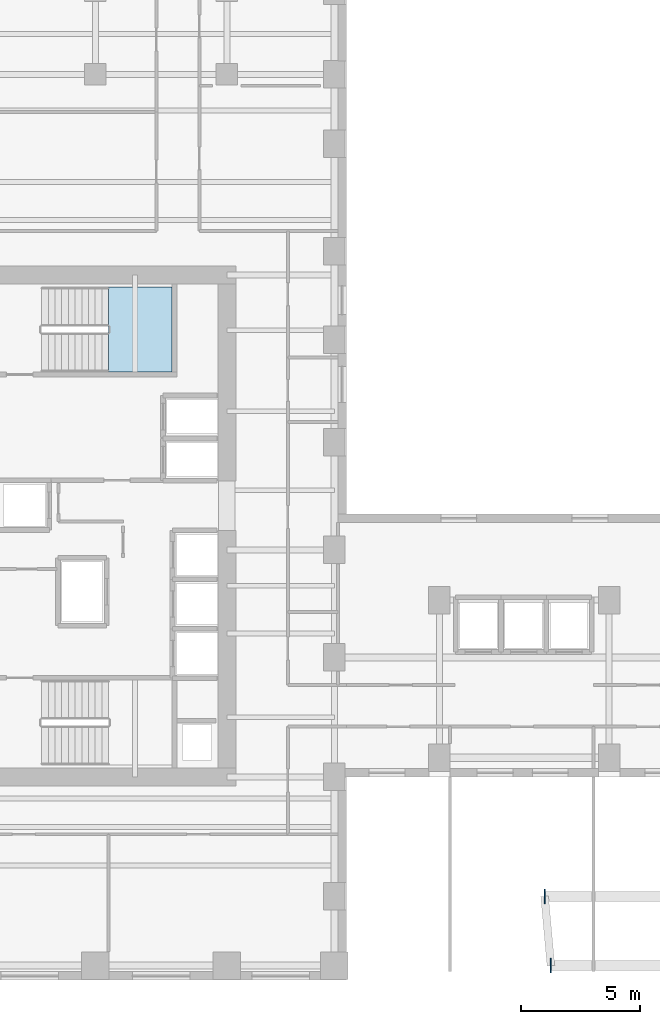
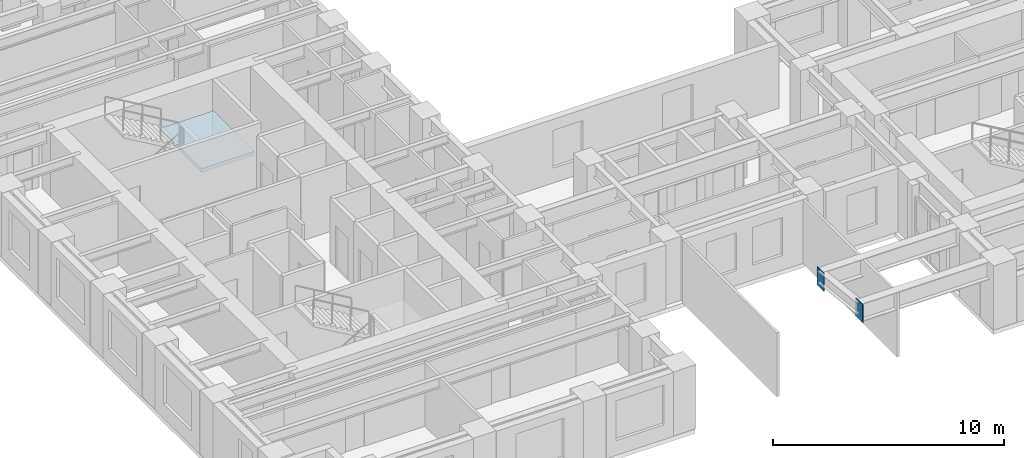
# One storey, part 5 of 14: 2 plates, 1 slab, 1 element without a shape of its own.
"""IFC4 building model written with IfcOpenShell, lengths in metres."""

from ifc_helpers import new_model, si_unit, direction, frame, origin, origin_2d, place, context, subcontext, project, spatial, polyline, rectangle, outline, extrude, source, transform, mapped, material, layer, layer_set, type_object, element, aggregate, save


model = new_model("IFC4")

# Units and contexts
model_context = context("Model", 3, precision=1e-05, world=origin(), true_north=direction((0.0, 1.0)))
body_context = subcontext(model_context, "Body", "Model", "MODEL_VIEW")
ifc_project = project(units=[si_unit("LENGTHUNIT", "METRE"), si_unit("AREAUNIT", "SQUARE_METRE"), si_unit("VOLUMEUNIT", "CUBIC_METRE"), si_unit("PLANEANGLEUNIT", "RADIAN"), si_unit("MASSUNIT", "GRAM", prefix="KILO")], contexts=[model_context])

# Site, building, storey
site_placement = place(None, origin())
site = spatial("IfcSite", under=ifc_project, at=site_placement, CompositionType="ELEMENT")
building_placement = place(site_placement, origin())
building = spatial("IfcBuilding", under=site, at=building_placement, Name="Kharzan Plaza Tower", CompositionType="ELEMENT")
storey_placement = place(building_placement, frame((0.0, 0.0, 88.199951171875)))
storey = spatial("IfcBuildingStorey", under=building, at=storey_placement, Name="L23", CompositionType="ELEMENT", Elevation=88.199951171875)

# Stair, slab
ifc_material_1 = material(Name="Concrete C40/50", Category="concrete")
stair_type = type_object("IfcStairType", Name="STR-ST-2", PredefinedType="HALF_TURN_STAIR", material=ifc_material_1)
stair_placement = place(storey_placement, origin())
stair = element("IfcStair", 1, at=stair_placement, inside=storey, type_object=stair_type, Name="L23 Protected Exit Stair ST-2", PredefinedType="HALF_TURN_STAIR")
ifc_layer_1 = layer(ifc_material_1, 0.219970703125)
ifc_layer_set_1 = layer_set([ifc_layer_1], Name="Concrete C40/50")
slab_type = type_object("IfcSlabType", Name="SL-LANDING-220", PredefinedType="LANDING", material=ifc_layer_set_1)
slab_placement = place(storey_placement, frame((0.0, 0.0, 1.60009765625)))
slab = element("IfcSlab", 2, at=slab_placement, type_object=slab_type, Name="ST-2 landing 1", PredefinedType="LANDING", context=body_context, shape_type="SweptSolid", body=[
    extrude(outline(polyline([(9.550048828125, 25.449951171875), (12.199951171875, 25.449951171875), (12.199951171875, 29.0), (9.550048828125, 29.0), (9.550048828125, 25.449951171875)])), origin(), (0.0, 0.0, 1.0), 0.199951171875),
])
aggregate(stair, [slab])

# Plates
ifc_material_2 = material(Name="Steel S460", Category="steel")
ifc_layer_2 = layer(ifc_material_2, 0.0419921875)
ifc_layer_set_2 = layer_set([ifc_layer_2], Name="Steel S460")
plate_type = type_object("IfcPlateType", Name="PLT-ZTN1", PredefinedType="USERDEFINED", material=ifc_layer_set_2)
shared_shape = source(origin(), body_context, "Body", "SweptSolid", [
    extrude(rectangle(XDim=0.60009765625, YDim=0.0419921875, at=origin_2d()), origin(), (0.0, 0.0, 1.0), 0.949951171875),
])
for number, where, z_axis, x_axis, name in (
    (3, (28.06396484375, 0.60009765625, 2.4365234375), (0.0, 0.0, 1.0), (0.0, 1.0, 0.0), "L23 Sky-Terrace Cantilever Tip Plate ZTN1"),
    (4, (27.800048828125, 3.5, 2.4365234375), (0.0, 0.0, 1.0), (0.0, 1.0, 0.0), "L23 Sky-Terrace Cantilever Tip Plate ZTN1"),
):
    element("IfcPlate", number, at=place(storey_placement, frame(where, z_axis=z_axis, x_axis=x_axis)), inside=storey, type_object=plate_type, Name=name, ObjectType="FLANGE_PLATE", PredefinedType="USERDEFINED", context=body_context, shape_type="MappedRepresentation", body=[
        mapped(shared_shape, transform((0.0, 0.0, 0.0), x_axis=(1.0, 0.0, 0.0), y_axis=(0.0, 1.0, 0.0), z_axis=(0.0, 0.0, 1.0))),
    ])

save(model, "model.ifc")
